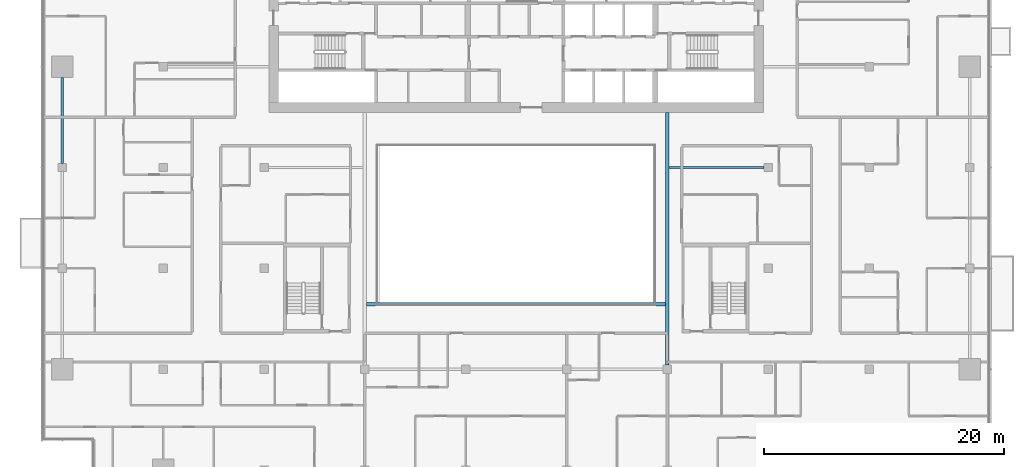
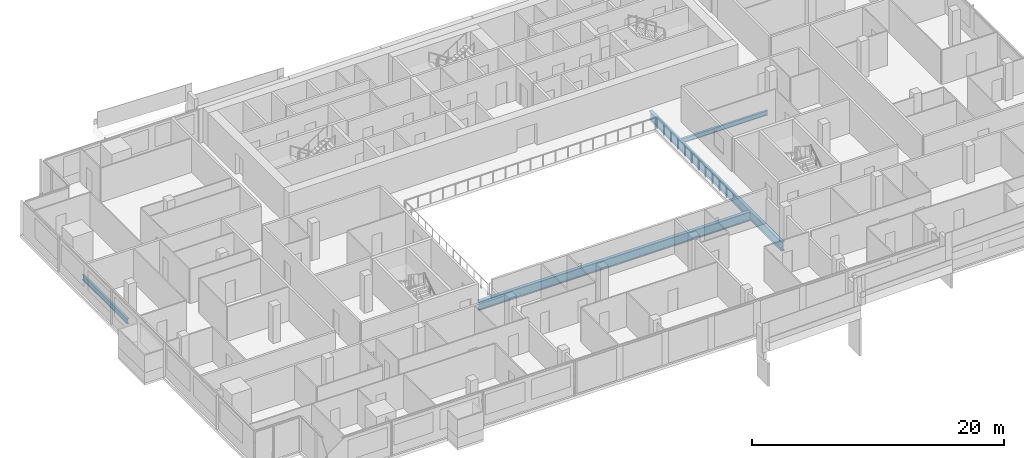
# One storey, part 7 of 28: 4 beams.
"""IFC4 building model written with IfcOpenShell, lengths in metres."""

from ifc_helpers import new_model, si_unit, direction, frame, origin, origin_2d, place, context, subcontext, project, spatial, i_section, extrude, material, material_profile, profile_set, type_object, element, save


model = new_model("IFC4")

# Units and contexts
model_context = context("Model", 3, precision=1e-05, world=origin(), true_north=direction((0.0, 1.0)))
body_context = subcontext(model_context, "Body", "Model", "MODEL_VIEW")
ifc_project = project(units=[si_unit("LENGTHUNIT", "METRE"), si_unit("AREAUNIT", "SQUARE_METRE"), si_unit("VOLUMEUNIT", "CUBIC_METRE"), si_unit("PLANEANGLEUNIT", "RADIAN"), si_unit("MASSUNIT", "GRAM", prefix="KILO")], contexts=[model_context])

# Site, building, storey
site_placement = place(None, origin())
site = spatial("IfcSite", under=ifc_project, at=site_placement, CompositionType="ELEMENT")
building_placement = place(site_placement, origin())
building = spatial("IfcBuilding", under=site, at=building_placement, Name="Saffron Gate Tower", CompositionType="ELEMENT")
storey_placement = place(building_placement, frame((0.0, 0.0, 176.25)))
storey = spatial("IfcBuildingStorey", under=building, at=storey_placement, Name="L43", CompositionType="ELEMENT", Elevation=176.25)

# Beams
ifc_material = material(Name="Structural steel S355", Category="steel")
ifc_material_profile_1 = material_profile(ifc_material, i_section(OverallWidth=0.199951171875, OverallDepth=0.5, WebThickness=0.01025390625, FlangeThickness=0.01611328125, FilletRadius=0.02099609375, at=origin_2d()))
ifc_profile_set_1 = profile_set([ifc_material_profile_1], Name="Structural steel S355")
beam_type_1 = type_object("IfcBeamType", Name="B11 IPE 500", PredefinedType="SPANDREL", material=ifc_profile_set_1)
beam_1_placement = place(storey_placement, frame((49.800048828125, 57.35009765625, -0.530029296875), z_axis=(0.0, 1.0, 0.0), x_axis=(-1.0, 0.0, 0.0)))
element("IfcBeam", 1, at=beam_1_placement, inside=storey, type_object=beam_type_1, Name="B11 SPANDREL BEAM", PredefinedType="SPANDREL", context=body_context, shape_type="SweptSolid", body=[
    extrude(i_section(OverallWidth=0.199951171875, OverallDepth=0.5, WebThickness=0.01025390625, FlangeThickness=0.01611328125, FilletRadius=0.02099609375, at=origin_2d()), origin(), (0.0, 0.0, 1.0), 7.14990234375),
])
ifc_material_profile_2 = material_profile(ifc_material, i_section(OverallWidth=0.300048828125, OverallDepth=0.889892578125, WebThickness=0.01611328125, FlangeThickness=0.030029296875, FilletRadius=0.030029296875, at=origin_2d()))
ifc_profile_set_2 = profile_set([ifc_material_profile_2], Name="Structural steel S355")
beam_type_2 = type_object("IfcBeamType", Name="B19 HEA 900", PredefinedType="BEAM", material=ifc_profile_set_2)
beam_2_placement = place(storey_placement, frame((100.199951171875, 40.550048828125, -0.72509765625), z_axis=(0.0, 1.0, 0.0), x_axis=(-1.0, 0.0, 0.0)))
element("IfcBeam", 2, at=beam_2_placement, inside=storey, type_object=beam_type_2, Name="B19 ATRIUM GIRDER", PredefinedType="BEAM", context=body_context, shape_type="SweptSolid", body=[
    extrude(i_section(OverallWidth=0.300048828125, OverallDepth=0.889892578125, WebThickness=0.01611328125, FlangeThickness=0.030029296875, FilletRadius=0.030029296875, at=origin_2d()), origin(), (0.0, 0.0, 1.0), 21.050048828125),
])
beam_3_placement = place(storey_placement, frame((75.14990234375, 45.60009765625, -0.72509765625), z_axis=(1.0, 0.0, 0.0), x_axis=(0.0, 1.0, 0.0)))
element("IfcBeam", 3, at=beam_3_placement, inside=storey, type_object=beam_type_2, Name="B19 ATRIUM GIRDER", PredefinedType="BEAM", context=body_context, shape_type="SweptSolid", body=[
    extrude(i_section(OverallWidth=0.300048828125, OverallDepth=0.889892578125, WebThickness=0.01611328125, FlangeThickness=0.030029296875, FilletRadius=0.030029296875, at=origin_2d()), origin(), (0.0, 0.0, 1.0), 24.900146484375),
])
ifc_material_profile_3 = material_profile(ifc_material, i_section(OverallWidth=0.18994140625, OverallDepth=0.449951171875, WebThickness=0.009521484375, FlangeThickness=0.0146484375, FilletRadius=0.02099609375, at=origin_2d()))
ifc_profile_set_3 = profile_set([ifc_material_profile_3], Name="Structural steel S355")
beam_type_3 = type_object("IfcBeamType", Name="B6 IPE 450", PredefinedType="BEAM", material=ifc_profile_set_3)
beam_4_placement = place(storey_placement, frame((108.25, 57.0, -0.5048828125), z_axis=(-1.0, 0.0, 0.0), x_axis=(0.0, -1.0, 0.0)))
element("IfcBeam", 4, at=beam_4_placement, inside=storey, type_object=beam_type_3, Name="B6 CORE TIE BEAM", PredefinedType="BEAM", context=body_context, shape_type="SweptSolid", body=[
    extrude(i_section(OverallWidth=0.18994140625, OverallDepth=0.449951171875, WebThickness=0.009521484375, FlangeThickness=0.0146484375, FilletRadius=0.02099609375, at=origin_2d()), origin(), (0.0, 0.0, 1.0), 7.89990234375),
])

save(model, "model.ifc")
